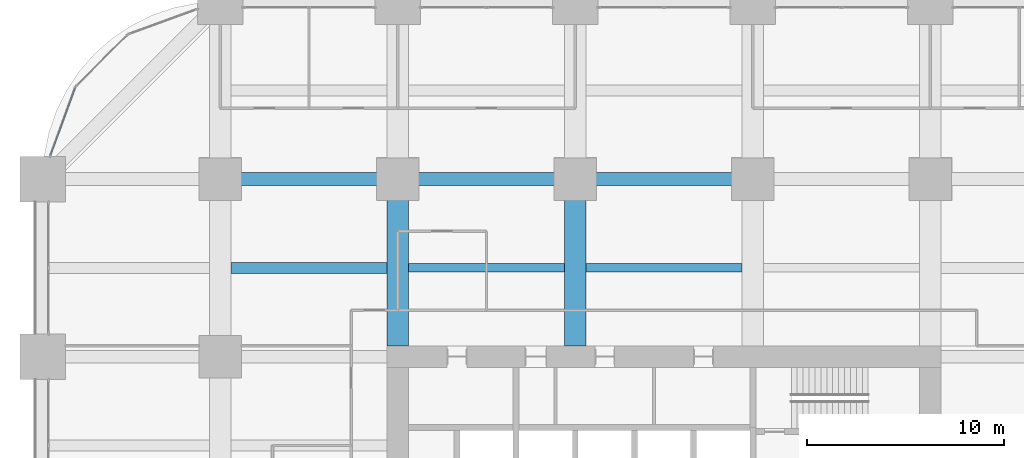
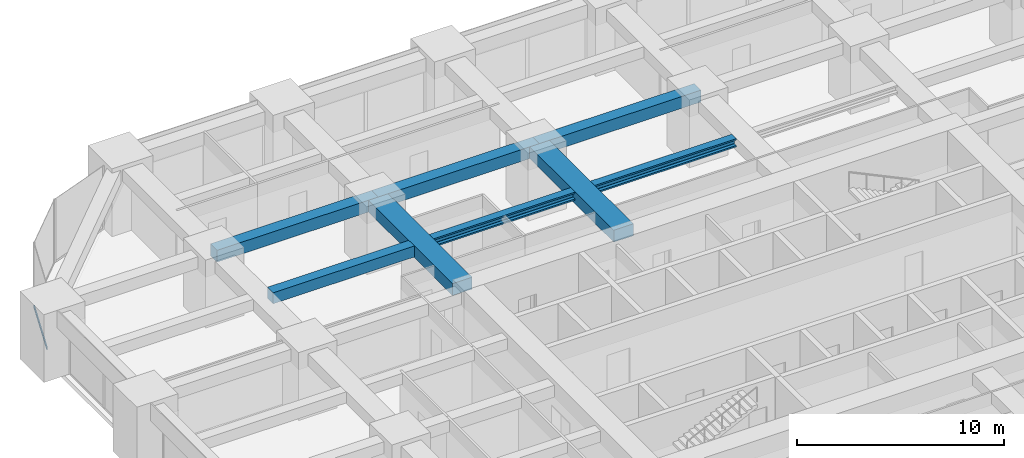
# One storey, part 26 of 44: 8 beams, 1 member, 1 element without a shape of its own.
"""IFC4 building model written with IfcOpenShell, lengths in metres."""

import ifcopenshell
import ifcopenshell.guid

model = None  # the IFC model being written
_history = None  # IfcOwnerHistory: only IFC2X3 demands one
_inside = {}  # id of a spatial element -> (the spatial element, [elements in it])
_under = {}  # id of a project, library or spatial element -> (it, [spatial elements below it])
_declared = {}  # id of a project -> (the project, [libraries it declares])
_typed = {}  # id of a type object -> (the type object, [elements of that type])
_made_of = {}  # id of a material, layer set ... -> (it, [elements and type objects made of it])


def new_model(schema):
    """Start an empty IFC model of exactly this schema.

    Asked for "IFC4X3", IfcOpenShell would pick the latest addendum, in which some entities
    have other attributes; the version numbers below select the first issue.
    IFC2X3 requires an IfcOwnerHistory on every rooted entity: one is made here for all.
    """
    global model, _history
    if schema == "IFC4X3":
        model = ifcopenshell.file(schema_version=(4, 3, 0, 0))
    else:
        model = ifcopenshell.file(schema=schema)
    _inside.clear()
    _under.clear()
    _declared.clear()
    _typed.clear()
    _made_of.clear()
    _history = None
    if model.schema == "IFC2X3":
        org = make("IfcOrganization", Name="unknown")
        user = make(
            "IfcPersonAndOrganization",
            ThePerson=make("IfcPerson", FamilyName="unknown"),
            TheOrganization=org,
        )
        app = make(
            "IfcApplication",
            ApplicationDeveloper=org,
            Version="unknown",
            ApplicationFullName="unknown",
            ApplicationIdentifier="unknown",
        )
        _history = make(
            "IfcOwnerHistory",
            OwningUser=user,
            OwningApplication=app,
            ChangeAction="ADDED",
            CreationDate=0,
        )
    return model


def make(cls, **values):
    """One entity of the class cls with the attributes given. An attribute that is None is left unset."""
    return model.create_entity(
        cls, **{name: value for name, value in values.items() if value is not None}
    )


def rooted(cls, **values):
    """An entity with a GlobalId (a new one), such as an element, a storey or a relation."""
    return make(cls, GlobalId=ifcopenshell.guid.new(), OwnerHistory=_history, **values)


def si_unit(unit_type, name, prefix=None):
    """IfcSIUnit, for example si_unit("LENGTHUNIT", "METRE", prefix="MILLI")."""
    return make("IfcSIUnit", UnitType=unit_type, Prefix=prefix, Name=name)


def assignment(units):
    """IfcUnitAssignment: the units of a project."""
    return None if units is None else make("IfcUnitAssignment", Units=units)


def point(xyz):
    """IfcCartesianPoint."""
    return None if xyz is None else make("IfcCartesianPoint", Coordinates=xyz)


def direction(xyz):
    """IfcDirection."""
    return None if xyz is None else make("IfcDirection", DirectionRatios=xyz)


def frame(location, z_axis=None, x_axis=None):
    """IfcAxis2Placement3D, a coordinate frame: its origin and axes. An axis left out is left unset."""
    return make(
        "IfcAxis2Placement3D",
        Location=point(location),
        Axis=direction(z_axis),
        RefDirection=direction(x_axis),
    )


def frame_2d(location, x_axis=None):
    """IfcAxis2Placement2D, a coordinate frame in the plane: its origin and x axis."""
    return make(
        "IfcAxis2Placement2D", Location=point(location), RefDirection=direction(x_axis)
    )


def origin():
    """The frame at (0, 0, 0) with its axes left unset."""
    return frame((0.0, 0.0, 0.0))


def origin_2d():
    """The frame at (0, 0) in the plane with its x axis left unset."""
    return frame_2d((0.0, 0.0))


def place(relative_to, where):
    """IfcLocalPlacement: puts the frame where relative to a parent placement (None: the world)."""
    return make(
        "IfcLocalPlacement", PlacementRelTo=relative_to, RelativePlacement=where
    )


def context(
    kind, dimensions, precision=None, world=None, true_north=None, identifier=None
):
    """IfcGeometricRepresentationContext, for example the 3D "Model" context."""
    return make(
        "IfcGeometricRepresentationContext",
        ContextIdentifier=identifier,
        ContextType=kind,
        CoordinateSpaceDimension=dimensions,
        Precision=precision,
        WorldCoordinateSystem=world,
        TrueNorth=true_north,
    )


def subcontext(parent, identifier, kind, view, scale=None):
    """IfcGeometricRepresentationSubContext, for example "Body" below "Model"."""
    return make(
        "IfcGeometricRepresentationSubContext",
        ContextIdentifier=identifier,
        ContextType=kind,
        ParentContext=parent,
        TargetScale=scale,
        TargetView=view,
    )


def project(units=None, contexts=None):
    """IfcProject with its units and contexts."""
    return rooted(
        "IfcProject",
        Name="project",
        RepresentationContexts=contexts,
        UnitsInContext=assignment(units),
    )


def spatial(cls, under=None, at=None, **own):
    """A site, building, storey or space (cls), placed at a placement, below another one or the project."""
    s = rooted(cls, ObjectPlacement=at, **own)
    if under is not None:
        _under.setdefault(under.id(), (under, []))[1].append(s)
    return s


def profile(cls, at=None, kind="AREA", **sizes):
    """A parametric profile (cls). Its sizes go by their IFC names, for example OverallWidth=200.0."""
    return make(cls, ProfileType=kind, Position=at, **sizes)


def rectangle(**sizes):
    """IfcRectangleProfileDef."""
    return profile("IfcRectangleProfileDef", **sizes)


def hollow_rectangle(**sizes):
    """IfcRectangleHollowProfileDef."""
    return profile("IfcRectangleHollowProfileDef", **sizes)


def i_section(**sizes):
    """IfcIShapeProfileDef."""
    return profile("IfcIShapeProfileDef", **sizes)


def extrude(swept, where, along, depth):
    """IfcExtrudedAreaSolid: the profile swept, set in the frame where, extruded along a direction by depth."""
    return make(
        "IfcExtrudedAreaSolid",
        SweptArea=swept,
        Position=where,
        ExtrudedDirection=direction(along),
        Depth=depth,
    )


def shape(context_of_items, identifier, shape_type, items):
    """IfcShapeRepresentation: the items that make up one representation, for example the "Body"."""
    return make(
        "IfcShapeRepresentation",
        ContextOfItems=context_of_items,
        RepresentationIdentifier=identifier,
        RepresentationType=shape_type,
        Items=items,
    )


def material(Name=None, Category=None):
    """IfcMaterial."""
    return make("IfcMaterial", Name=Name, Category=Category)


def material_profile(
    of_material, cross_section, Name=None, Category=None, Priority=None
):
    """IfcMaterialProfile: a cross section and its material."""
    return make(
        "IfcMaterialProfile",
        Name=Name,
        Material=of_material,
        Profile=cross_section,
        Priority=Priority,
        Category=Category,
    )


def profile_set(profiles, Name=None, composite=None):
    """IfcMaterialProfileSet."""
    return make(
        "IfcMaterialProfileSet",
        Name=Name,
        MaterialProfiles=profiles,
        CompositeProfile=composite,
    )


def made_of(thing, what):
    """Note that an element or type object is made of a material, layer set ...; save() writes the relation."""
    if what is not None:
        _made_of.setdefault(what.id(), (what, []))[1].append(thing)
    return thing


def type_object(cls, material=None, **own):
    """A type object (cls), such as IfcWallType, which elements share."""
    return made_of(rooted(cls, **own), material)


def element(
    cls,
    number,
    at=None,
    inside=None,
    cuts=None,
    type_object=None,
    material=None,
    context=None,
    identifier="Body",
    shape_type=None,
    held_by="IfcProductDefinitionShape",
    body=None,
    shapes=None,
    **own,
):
    """One element of the class cls, such as IfcWall. Its Tag is "e" and its number.

    at: its placement. inside: the storey or other place that contains it. cuts: it is an
    opening in that element (IfcRelVoidsElement). A single representation is given by context,
    identifier, shape_type and body (its items); several are given by shapes. held_by: the class
    of the entity that holds the representations. save() writes the other relations.
    """
    e = rooted(cls, Tag="e%d" % number, ObjectPlacement=at, **own)
    if body is not None:
        shapes = [shape(context, identifier, shape_type, body)]
    if shapes is not None:
        e.Representation = make(held_by, Representations=shapes)
    if inside is not None:
        _inside.setdefault(inside.id(), (inside, []))[1].append(e)
    if cuts is not None:
        rooted(
            "IfcRelVoidsElement", RelatingBuildingElement=cuts, RelatedOpeningElement=e
        )
    if type_object is not None:
        _typed.setdefault(type_object.id(), (type_object, []))[1].append(e)
    return made_of(e, material)


def aggregate(whole, parts):
    """IfcRelAggregates: a whole, such as a stair, and the parts it consists of."""
    return rooted("IfcRelAggregates", RelatingObject=whole, RelatedObjects=parts)


def save(model, path):
    """Write the relations noted so far, then the file.

    IfcRelAggregates (storeys below a building ...), IfcRelContainedInSpatialStructure (elements
    in a storey), IfcRelDefinesByType, IfcRelAssociatesMaterial and IfcRelDeclares: one each for
    every whole, place, type object, material and project.
    """
    for whole, parts in _under.values():
        aggregate(whole, parts)
    for where, things in _inside.values():
        rooted(
            "IfcRelContainedInSpatialStructure",
            RelatedElements=things,
            RelatingStructure=where,
        )
    for kind, things in _typed.values():
        rooted("IfcRelDefinesByType", RelatedObjects=things, RelatingType=kind)
    for what, things in _made_of.values():
        rooted("IfcRelAssociatesMaterial", RelatedObjects=things, RelatingMaterial=what)
    for by, libraries in _declared.values():
        rooted("IfcRelDeclares", RelatingContext=by, RelatedDefinitions=libraries)
    model.write(path)


model = new_model("IFC4")

# Units and contexts
model_context = context("Model", 3, precision=1e-05, world=origin(), true_north=direction((0.0, 1.0)))
body_context = subcontext(model_context, "Body", "Model", "MODEL_VIEW")
ifc_project = project(units=[si_unit("LENGTHUNIT", "METRE"), si_unit("AREAUNIT", "SQUARE_METRE"), si_unit("VOLUMEUNIT", "CUBIC_METRE"), si_unit("PLANEANGLEUNIT", "RADIAN"), si_unit("MASSUNIT", "GRAM", prefix="KILO")], contexts=[model_context])

# Site, building, storey
site_placement = place(None, origin())
site = spatial("IfcSite", under=ifc_project, at=site_placement, CompositionType="ELEMENT")
building_placement = place(site_placement, origin())
building = spatial("IfcBuilding", under=site, at=building_placement, Name="Zorevar Civic Tower", CompositionType="ELEMENT")
storey_placement = place(building_placement, frame((0.0, 0.0, 51.800048828125)))
storey = spatial("IfcBuildingStorey", under=building, at=storey_placement, Name="L12", CompositionType="ELEMENT", Elevation=51.800048828125)

# Beams
ifc_material_1 = material(Name="Concrete C50/60", Category="concrete")
ifc_material_profile_1 = material_profile(ifc_material_1, rectangle(XDim=1.10009765625, YDim=0.699951171875, at=origin_2d()), Name="RC 1100x700")
ifc_profile_set_1 = profile_set([ifc_material_profile_1], Name="Concrete C50/60")
beam_type_1 = type_object("IfcBeamType", Name="Beam RC 1100x700", PredefinedType="BEAM", material=ifc_profile_set_1)
for number, where, z_axis, x_axis, name in (
    (1, (18.0, 36.550048828125, 3.39990234375), (0.0, 1.0, 0.0), (-1.0, 0.0, 0.0), "Girder L13"),
    (2, (27.0, 36.550048828125, 3.39990234375), (0.0, 1.0, 0.0), (-1.0, 0.0, 0.0), "Girder L13"),
):
    element("IfcBeam", number, at=place(storey_placement, frame(where, z_axis=z_axis, x_axis=x_axis)), inside=storey, type_object=beam_type_1, Name=name, PredefinedType="BEAM", context=body_context, shape_type="SweptSolid", body=[
        extrude(rectangle(XDim=1.10009765625, YDim=0.699951171875, at=origin_2d()), origin(), (0.0, 0.0, 1.0), 8.449951171875),
    ])
ifc_material_2 = material(Name="Concrete C50/60", Category="concrete")
ifc_material_profile_2 = material_profile(ifc_material_2, rectangle(XDim=0.550048828125, YDim=0.64990234375, at=origin_2d()), Name="RC 550x650")
ifc_profile_set_2 = profile_set([ifc_material_profile_2], Name="Concrete C50/60")
beam_type_2 = type_object("IfcBeamType", Name="Beam RC 550x650", PredefinedType="BEAM", material=ifc_profile_set_2)
beam_placement = place(storey_placement, frame((9.550048828125, 40.5, 3.425048828125), z_axis=(1.0, 0.0, 0.0), x_axis=(0.0, 1.0, 0.0)))
element("IfcBeam", 3, at=beam_placement, inside=storey, type_object=beam_type_2, Name="Secondary beam L13", PredefinedType="BEAM", context=body_context, shape_type="SweptSolid", body=[
    extrude(rectangle(XDim=0.550048828125, YDim=0.64990234375, at=origin_2d()), origin(), (0.0, 0.0, 1.0), 7.89990234375),
])
ifc_material_3 = material(Name="Concrete C50/60", Category="concrete")
ifc_material_profile_3 = material_profile(ifc_material_3, rectangle(XDim=0.64990234375, YDim=0.699951171875, at=origin_2d()), Name="RC 650x700")
ifc_profile_set_3 = profile_set([ifc_material_profile_3], Name="Concrete C50/60")
beam_type_3 = type_object("IfcBeamType", Name="Beam RC 650x700", PredefinedType="BEAM", material=ifc_profile_set_3)
for number, where, z_axis, x_axis, name in (
    (4, (9.0, 45.0, 3.39990234375), (1.0, 0.0, 0.0), (0.0, 1.0, 0.0), "Girder L13"),
    (5, (18.0, 45.0, 3.39990234375), (1.0, 0.0, 0.0), (0.0, 1.0, 0.0), "Girder L13"),
    (6, (27.0, 45.0, 3.39990234375), (1.0, 0.0, 0.0), (0.0, 1.0, 0.0), "Girder L13"),
):
    element("IfcBeam", number, at=place(storey_placement, frame(where, z_axis=z_axis, x_axis=x_axis)), inside=storey, type_object=beam_type_3, Name=name, PredefinedType="BEAM", context=body_context, shape_type="SweptSolid", body=[
        extrude(rectangle(XDim=0.64990234375, YDim=0.699951171875, at=origin_2d()), origin(), (0.0, 0.0, 1.0), 9.0),
    ])

# Curtain wall, member
ifc_material_4 = material(Name="Dark grey solar-control glass in black aluminium frame", Category="aluminium")
curtain_wall_type = type_object("IfcCurtainWallType", Name="Curtain wall CW2 low zone", PredefinedType="NOTDEFINED", material=ifc_material_4)
curtain_wall_placement = place(storey_placement, origin())
curtain_wall = element("IfcCurtainWall", 7, at=curtain_wall_placement, inside=storey, type_object=curtain_wall_type, Name="CW2 L12", PredefinedType="NOTDEFINED")
ifc_material_5 = material(Name="Aluminium, black anodised", Category="aluminium")
ifc_material_profile_4 = material_profile(ifc_material_5, hollow_rectangle(XDim=0.06005859375, YDim=0.14990234375, WallThickness=0.00390625, at=origin_2d()), Name="AL 150x60x4")
ifc_profile_set_4 = profile_set([ifc_material_profile_4], Name="Aluminium, black anodised")
member_type = type_object("IfcMemberType", Name="CW2 transom AL 150x60x4", PredefinedType="USERDEFINED", material=ifc_profile_set_4)
member_placement = place(storey_placement, frame((1.64453125, 49.622314453125, 0.030029296875), z_axis=(-0.343047162808, -0.939318180432, 0.0), x_axis=(0.939318180432, -0.343047162808, 0.0)))
member = element("IfcMember", 8, at=member_placement, type_object=member_type, Name="CW2 sill transom", ObjectType="TRANSOM", PredefinedType="USERDEFINED", context=body_context, shape_type="SweptSolid", body=[
    extrude(hollow_rectangle(XDim=0.06005859375, YDim=0.14990234375, WallThickness=0.00390625, at=origin_2d()), origin(), (0.0, 0.0, 1.0), 3.63671875),
])
aggregate(curtain_wall, [member])

# Beams
ifc_material_6 = material(Name="Steel S460M (HISTAR 460)", Category="steel")
ifc_material_profile_5 = material_profile(ifc_material_6, i_section(OverallWidth=0.431884765625, OverallDepth=0.498046875, WebThickness=0.0556640625, FlangeThickness=0.0888671875, FilletRadius=0.014892578125, at=origin_2d()), Name="HD 400x744")
ifc_profile_set_5 = profile_set([ifc_material_profile_5], Name="Steel S460M (HISTAR 460)")
beam_type_4 = type_object("IfcBeamType", Name="Core bay beam HD 400x744", PredefinedType="BEAM", material=ifc_profile_set_5)
for number, where, z_axis, x_axis, name in (
    (9, (18.550048828125, 40.5, 3.5009765625), (1.0, 0.0, 0.0), (0.0, 1.0, 0.0), "Secondary beam L13"),
    (10, (27.550048828125, 40.5, 3.5009765625), (1.0, 0.0, 0.0), (0.0, 1.0, 0.0), "Secondary beam L13"),
):
    element("IfcBeam", number, at=place(storey_placement, frame(where, z_axis=z_axis, x_axis=x_axis)), inside=storey, type_object=beam_type_4, Name=name, PredefinedType="BEAM", context=body_context, shape_type="SweptSolid", body=[
        extrude(i_section(OverallWidth=0.431884765625, OverallDepth=0.498046875, WebThickness=0.0556640625, FlangeThickness=0.0888671875, FilletRadius=0.014892578125, at=origin_2d()), origin(), (0.0, 0.0, 1.0), 7.89990234375),
    ])

save(model, "model.ifc")
